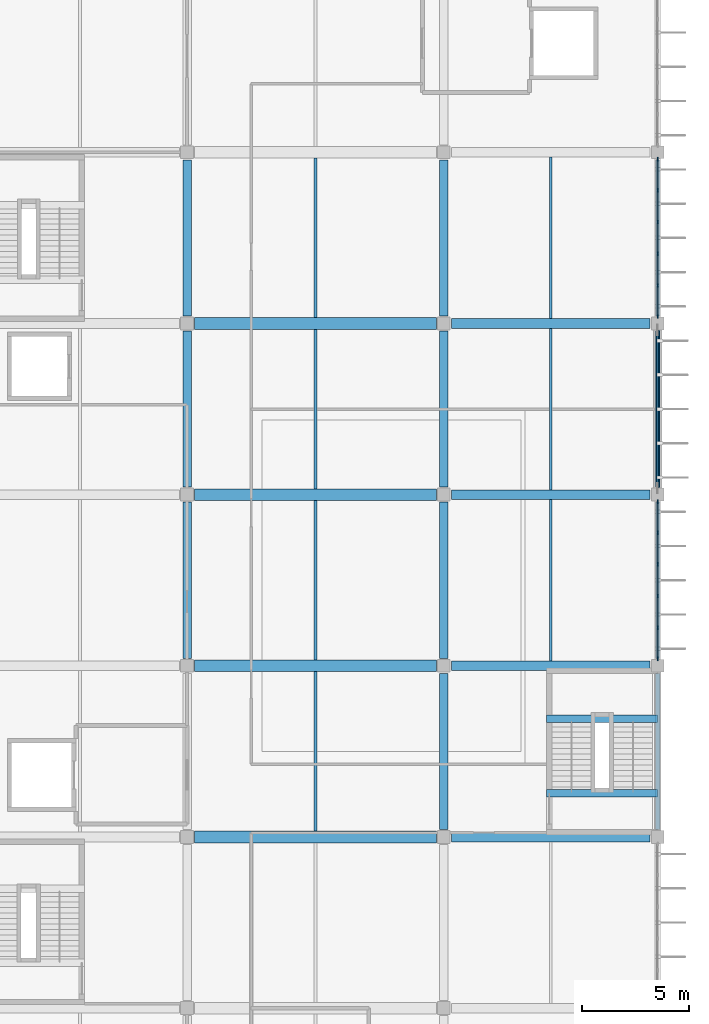
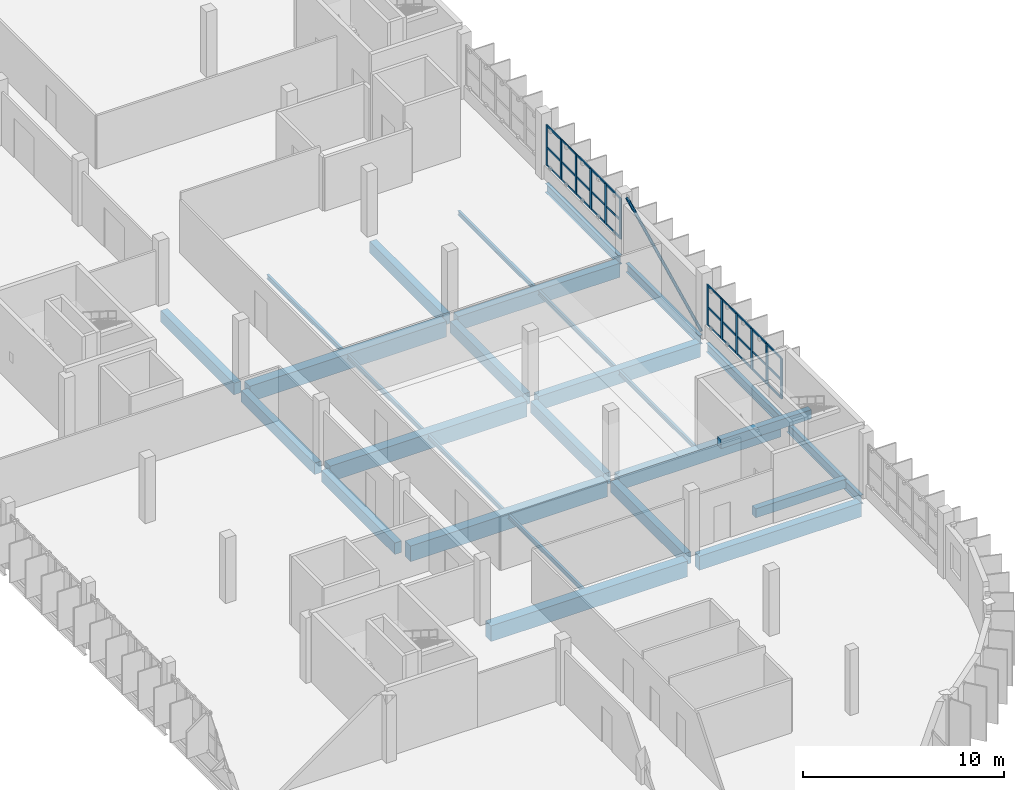
# One storey, part 31 of 66: 43 members, 28 beams, 2 elements without a shape of their own.
"""IFC4 building model written with IfcOpenShell, lengths in metres."""

from ifc_helpers import new_model, si_unit, direction, frame, origin, origin_2d, place, context, subcontext, project, spatial, rectangle, hollow_circle, i_section, extrude, material, layer, layer_set, material_profile, profile_set, type_object, element, aggregate, save


model = new_model("IFC4")

# Units and contexts
model_context = context("Model", 3, precision=1e-05, world=origin(), true_north=direction((0.0, 1.0)))
body_context = subcontext(model_context, "Body", "Model", "MODEL_VIEW")
ifc_project = project(units=[si_unit("LENGTHUNIT", "METRE"), si_unit("AREAUNIT", "SQUARE_METRE"), si_unit("VOLUMEUNIT", "CUBIC_METRE"), si_unit("PLANEANGLEUNIT", "RADIAN"), si_unit("MASSUNIT", "GRAM", prefix="KILO")], contexts=[model_context])

# Site, building, storey
site_placement = place(None, origin())
site = spatial("IfcSite", under=ifc_project, at=site_placement, CompositionType="ELEMENT")
building_placement = place(site_placement, origin())
building = spatial("IfcBuilding", under=site, at=building_placement, Name="Drelvana Railside Aquatics Centre", CompositionType="ELEMENT")
storey_placement = place(building_placement, frame((0.0, 0.0, 10.199951171875)))
storey = spatial("IfcBuildingStorey", under=building, at=storey_placement, Name="L02", CompositionType="ELEMENT", Elevation=10.199951171875)

# Curtain wall, members
ifc_material_1 = material(Name="Bronze-anodised aluminium curtain wall", Category="aluminium")
ifc_layer = layer(ifc_material_1, 0.175048828125, Name="Bronze-anodised aluminium curtain wall")
ifc_layer_set = layer_set([ifc_layer], Name="Bronze-anodised aluminium curtain wall")
curtain_wall_type = type_object("IfcCurtainWallType", Name="CW-Z6-WING", PredefinedType="NOTDEFINED", material=ifc_layer_set)
curtain_wall_1_placement = place(storey_placement, origin())
curtain_wall_1 = element("IfcCurtainWall", 1, at=curtain_wall_1_placement, inside=storey, type_object=curtain_wall_type, Name="Curtain wall CW-06-172", PredefinedType="NOTDEFINED")
ifc_material_2 = material(Name="Bronze-anodised aluminium 6063-T6", Category="aluminium")
ifc_material_profile_1 = material_profile(ifc_material_2, rectangle(XDim=0.06494140625, YDim=0.175048828125, at=origin_2d()), Name="ALU-M 65x175")
ifc_profile_set_1 = profile_set([ifc_material_profile_1], Name="Bronze-anodised aluminium 6063-T6")
member_type_1 = type_object("IfcMemberType", Name="CW-Z6-WING-MUL", PredefinedType="MULLION", material=ifc_profile_set_1)
member_1_placement = place(storey_placement, frame((184.0, 40.326416015625, 0.7939453125), z_axis=(0.0, 0.0, 1.0), x_axis=(-1.0, 0.0, 0.0)))
member_1 = element("IfcMember", 2, at=member_1_placement, type_object=member_type_1, Name="CW-06 mullion 1", PredefinedType="MULLION", context=body_context, shape_type="SweptSolid", body=[
    extrude(rectangle(XDim=0.06494140625, YDim=0.175048828125, at=origin_2d()), origin(), (0.0, 0.0, 1.0), 2.4560546875),
])
member_2_placement = place(storey_placement, frame((184.0, 41.7763671875, 0.7939453125), z_axis=(0.0, 0.0, 1.0), x_axis=(-1.0, 0.0, 0.0)))
member_2 = element("IfcMember", 3, at=member_2_placement, type_object=member_type_1, Name="CW-06 mullion 2", PredefinedType="MULLION", context=body_context, shape_type="SweptSolid", body=[
    extrude(rectangle(XDim=0.06494140625, YDim=0.175048828125, at=origin_2d()), origin(), (0.0, 0.0, 1.0), 2.4560546875),
])
member_3_placement = place(storey_placement, frame((184.0, 43.2587890625, 0.7939453125), z_axis=(0.0, 0.0, 1.0), x_axis=(-1.0, 0.0, 0.0)))
member_3 = element("IfcMember", 4, at=member_3_placement, type_object=member_type_1, Name="CW-06 mullion 3", PredefinedType="MULLION", context=body_context, shape_type="SweptSolid", body=[
    extrude(rectangle(XDim=0.06494140625, YDim=0.175048828125, at=origin_2d()), origin(), (0.0, 0.0, 1.0), 2.4560546875),
])
member_4_placement = place(storey_placement, frame((184.0, 44.7412109375, 0.7939453125), z_axis=(0.0, 0.0, 1.0), x_axis=(-1.0, 0.0, 0.0)))
member_4 = element("IfcMember", 5, at=member_4_placement, type_object=member_type_1, Name="CW-06 mullion 4", PredefinedType="MULLION", context=body_context, shape_type="SweptSolid", body=[
    extrude(rectangle(XDim=0.06494140625, YDim=0.175048828125, at=origin_2d()), origin(), (0.0, 0.0, 1.0), 2.4560546875),
])
member_5_placement = place(storey_placement, frame((184.0, 46.2236328125, 0.7939453125), z_axis=(0.0, 0.0, 1.0), x_axis=(-1.0, 0.0, 0.0)))
member_5 = element("IfcMember", 6, at=member_5_placement, type_object=member_type_1, Name="CW-06 mullion 5", PredefinedType="MULLION", context=body_context, shape_type="SweptSolid", body=[
    extrude(rectangle(XDim=0.06494140625, YDim=0.175048828125, at=origin_2d()), origin(), (0.0, 0.0, 1.0), 2.4560546875),
])
member_6_placement = place(storey_placement, frame((184.0, 47.673583984375, 0.7939453125), z_axis=(0.0, 0.0, 1.0), x_axis=(-1.0, 0.0, 0.0)))
member_6 = element("IfcMember", 7, at=member_6_placement, type_object=member_type_1, Name="CW-06 mullion 6", PredefinedType="MULLION", context=body_context, shape_type="SweptSolid", body=[
    extrude(rectangle(XDim=0.06494140625, YDim=0.175048828125, at=origin_2d()), origin(), (0.0, 0.0, 1.0), 2.4560546875),
])

curtain_wall_2_placement = place(storey_placement, origin())
curtain_wall_2 = element("IfcCurtainWall", 8, at=curtain_wall_2_placement, inside=storey, type_object=curtain_wall_type, Name="Curtain wall CW-06-177", PredefinedType="NOTDEFINED")
member_7_placement = place(storey_placement, frame((184.0, 56.326416015625, 0.7939453125), z_axis=(0.0, 0.0, 1.0), x_axis=(-1.0, 0.0, 0.0)))
member_7 = element("IfcMember", 9, at=member_7_placement, type_object=member_type_1, Name="CW-06 mullion 1", PredefinedType="MULLION", context=body_context, shape_type="SweptSolid", body=[
    extrude(rectangle(XDim=0.06494140625, YDim=0.175048828125, at=origin_2d()), origin(), (0.0, 0.0, 1.0), 2.4560546875),
])
member_8_placement = place(storey_placement, frame((184.0, 57.7763671875, 0.7939453125), z_axis=(0.0, 0.0, 1.0), x_axis=(-1.0, 0.0, 0.0)))
member_8 = element("IfcMember", 10, at=member_8_placement, type_object=member_type_1, Name="CW-06 mullion 2", PredefinedType="MULLION", context=body_context, shape_type="SweptSolid", body=[
    extrude(rectangle(XDim=0.06494140625, YDim=0.175048828125, at=origin_2d()), origin(), (0.0, 0.0, 1.0), 2.4560546875),
])
member_9_placement = place(storey_placement, frame((184.0, 59.2587890625, 0.7939453125), z_axis=(0.0, 0.0, 1.0), x_axis=(-1.0, 0.0, 0.0)))
member_9 = element("IfcMember", 11, at=member_9_placement, type_object=member_type_1, Name="CW-06 mullion 3", PredefinedType="MULLION", context=body_context, shape_type="SweptSolid", body=[
    extrude(rectangle(XDim=0.06494140625, YDim=0.175048828125, at=origin_2d()), origin(), (0.0, 0.0, 1.0), 2.4560546875),
])
member_10_placement = place(storey_placement, frame((184.0, 60.7412109375, 0.7939453125), z_axis=(0.0, 0.0, 1.0), x_axis=(-1.0, 0.0, 0.0)))
member_10 = element("IfcMember", 12, at=member_10_placement, type_object=member_type_1, Name="CW-06 mullion 4", PredefinedType="MULLION", context=body_context, shape_type="SweptSolid", body=[
    extrude(rectangle(XDim=0.06494140625, YDim=0.175048828125, at=origin_2d()), origin(), (0.0, 0.0, 1.0), 2.4560546875),
])
member_11_placement = place(storey_placement, frame((184.0, 62.2236328125, 0.7939453125), z_axis=(0.0, 0.0, 1.0), x_axis=(-1.0, 0.0, 0.0)))
member_11 = element("IfcMember", 13, at=member_11_placement, type_object=member_type_1, Name="CW-06 mullion 5", PredefinedType="MULLION", context=body_context, shape_type="SweptSolid", body=[
    extrude(rectangle(XDim=0.06494140625, YDim=0.175048828125, at=origin_2d()), origin(), (0.0, 0.0, 1.0), 2.4560546875),
])
member_12_placement = place(storey_placement, frame((184.0, 63.673583984375, 0.7939453125), z_axis=(0.0, 0.0, 1.0), x_axis=(-1.0, 0.0, 0.0)))
member_12 = element("IfcMember", 14, at=member_12_placement, type_object=member_type_1, Name="CW-06 mullion 6", PredefinedType="MULLION", context=body_context, shape_type="SweptSolid", body=[
    extrude(rectangle(XDim=0.06494140625, YDim=0.175048828125, at=origin_2d()), origin(), (0.0, 0.0, 1.0), 2.4560546875),
])

# Member
ifc_material_profile_2 = material_profile(ifc_material_2, rectangle(XDim=0.1201171875, YDim=0.06005859375, at=origin_2d()), Name="ALU-T 60x120")
ifc_profile_set_2 = profile_set([ifc_material_profile_2], Name="Bronze-anodised aluminium 6063-T6")
member_type_2 = type_object("IfcMemberType", Name="CW-Z6-WING-TRN", PredefinedType="USERDEFINED", material=ifc_profile_set_2)
member_13_placement = place(storey_placement, frame((184.0, 40.35400390625, 0.823974609375), z_axis=(0.0, 1.0, 0.0), x_axis=(0.0, 0.0, 1.0)))
member_13 = element("IfcMember", 15, at=member_13_placement, type_object=member_type_2, Name="CW-06 transom 1.1", ObjectType="TRANSOM", PredefinedType="USERDEFINED", context=body_context, shape_type="SweptSolid", body=[
    extrude(rectangle(XDim=0.1201171875, YDim=0.06005859375, at=origin_2d()), origin(), (0.0, 0.0, 1.0), 1.394775390625),
])

member_14_placement = place(storey_placement, frame((184.0, 40.35400390625, 1.899169921875), z_axis=(0.0, 1.0, 0.0), x_axis=(0.0, 0.0, 1.0)))
member_14 = element("IfcMember", 16, at=member_14_placement, type_object=member_type_2, Name="CW-06 transom 1.2", ObjectType="TRANSOM", PredefinedType="USERDEFINED", context=body_context, shape_type="SweptSolid", body=[
    extrude(rectangle(XDim=0.1201171875, YDim=0.06005859375, at=origin_2d()), origin(), (0.0, 0.0, 1.0), 1.394775390625),
])

member_15_placement = place(storey_placement, frame((184.0, 40.35400390625, 3.219970703125), z_axis=(0.0, 1.0, 0.0), x_axis=(0.0, 0.0, 1.0)))
member_15 = element("IfcMember", 17, at=member_15_placement, type_object=member_type_2, Name="CW-06 transom 1.3", ObjectType="TRANSOM", PredefinedType="USERDEFINED", context=body_context, shape_type="SweptSolid", body=[
    extrude(rectangle(XDim=0.1201171875, YDim=0.06005859375, at=origin_2d()), origin(), (0.0, 0.0, 1.0), 1.394775390625),
])

member_16_placement = place(storey_placement, frame((184.0, 41.803955078125, 0.823974609375), z_axis=(0.0, 1.0, 0.0), x_axis=(0.0, 0.0, 1.0)))
member_16 = element("IfcMember", 18, at=member_16_placement, type_object=member_type_2, Name="CW-06 transom 2.1", ObjectType="TRANSOM", PredefinedType="USERDEFINED", context=body_context, shape_type="SweptSolid", body=[
    extrude(rectangle(XDim=0.1201171875, YDim=0.06005859375, at=origin_2d()), origin(), (0.0, 0.0, 1.0), 1.42724609375),
])

member_17_placement = place(storey_placement, frame((184.0, 41.803955078125, 1.899169921875), z_axis=(0.0, 1.0, 0.0), x_axis=(0.0, 0.0, 1.0)))
member_17 = element("IfcMember", 19, at=member_17_placement, type_object=member_type_2, Name="CW-06 transom 2.2", ObjectType="TRANSOM", PredefinedType="USERDEFINED", context=body_context, shape_type="SweptSolid", body=[
    extrude(rectangle(XDim=0.1201171875, YDim=0.06005859375, at=origin_2d()), origin(), (0.0, 0.0, 1.0), 1.42724609375),
])

member_18_placement = place(storey_placement, frame((184.0, 41.803955078125, 3.219970703125), z_axis=(0.0, 1.0, 0.0), x_axis=(0.0, 0.0, 1.0)))
member_18 = element("IfcMember", 20, at=member_18_placement, type_object=member_type_2, Name="CW-06 transom 2.3", ObjectType="TRANSOM", PredefinedType="USERDEFINED", context=body_context, shape_type="SweptSolid", body=[
    extrude(rectangle(XDim=0.1201171875, YDim=0.06005859375, at=origin_2d()), origin(), (0.0, 0.0, 1.0), 1.42724609375),
])

member_19_placement = place(storey_placement, frame((184.0, 43.286376953125, 0.823974609375), z_axis=(0.0, 1.0, 0.0), x_axis=(0.0, 0.0, 1.0)))
member_19 = element("IfcMember", 21, at=member_19_placement, type_object=member_type_2, Name="CW-06 transom 3.1", ObjectType="TRANSOM", PredefinedType="USERDEFINED", context=body_context, shape_type="SweptSolid", body=[
    extrude(rectangle(XDim=0.1201171875, YDim=0.06005859375, at=origin_2d()), origin(), (0.0, 0.0, 1.0), 1.42724609375),
])

member_20_placement = place(storey_placement, frame((184.0, 43.286376953125, 1.899169921875), z_axis=(0.0, 1.0, 0.0), x_axis=(0.0, 0.0, 1.0)))
member_20 = element("IfcMember", 22, at=member_20_placement, type_object=member_type_2, Name="CW-06 transom 3.2", ObjectType="TRANSOM", PredefinedType="USERDEFINED", context=body_context, shape_type="SweptSolid", body=[
    extrude(rectangle(XDim=0.1201171875, YDim=0.06005859375, at=origin_2d()), origin(), (0.0, 0.0, 1.0), 1.42724609375),
])

member_21_placement = place(storey_placement, frame((184.0, 43.286376953125, 3.219970703125), z_axis=(0.0, 1.0, 0.0), x_axis=(0.0, 0.0, 1.0)))
member_21 = element("IfcMember", 23, at=member_21_placement, type_object=member_type_2, Name="CW-06 transom 3.3", ObjectType="TRANSOM", PredefinedType="USERDEFINED", context=body_context, shape_type="SweptSolid", body=[
    extrude(rectangle(XDim=0.1201171875, YDim=0.06005859375, at=origin_2d()), origin(), (0.0, 0.0, 1.0), 1.42724609375),
])

member_22_placement = place(storey_placement, frame((184.0, 44.768798828125, 0.823974609375), z_axis=(0.0, 1.0, 0.0), x_axis=(0.0, 0.0, 1.0)))
member_22 = element("IfcMember", 24, at=member_22_placement, type_object=member_type_2, Name="CW-06 transom 4.1", ObjectType="TRANSOM", PredefinedType="USERDEFINED", context=body_context, shape_type="SweptSolid", body=[
    extrude(rectangle(XDim=0.1201171875, YDim=0.06005859375, at=origin_2d()), origin(), (0.0, 0.0, 1.0), 1.42724609375),
])

member_23_placement = place(storey_placement, frame((184.0, 44.768798828125, 1.899169921875), z_axis=(0.0, 1.0, 0.0), x_axis=(0.0, 0.0, 1.0)))
member_23 = element("IfcMember", 25, at=member_23_placement, type_object=member_type_2, Name="CW-06 transom 4.2", ObjectType="TRANSOM", PredefinedType="USERDEFINED", context=body_context, shape_type="SweptSolid", body=[
    extrude(rectangle(XDim=0.1201171875, YDim=0.06005859375, at=origin_2d()), origin(), (0.0, 0.0, 1.0), 1.42724609375),
])

member_24_placement = place(storey_placement, frame((184.0, 44.768798828125, 3.219970703125), z_axis=(0.0, 1.0, 0.0), x_axis=(0.0, 0.0, 1.0)))
member_24 = element("IfcMember", 26, at=member_24_placement, type_object=member_type_2, Name="CW-06 transom 4.3", ObjectType="TRANSOM", PredefinedType="USERDEFINED", context=body_context, shape_type="SweptSolid", body=[
    extrude(rectangle(XDim=0.1201171875, YDim=0.06005859375, at=origin_2d()), origin(), (0.0, 0.0, 1.0), 1.42724609375),
])

member_25_placement = place(storey_placement, frame((184.0, 46.251220703125, 0.823974609375), z_axis=(0.0, 1.0, 0.0), x_axis=(0.0, 0.0, 1.0)))
member_25 = element("IfcMember", 27, at=member_25_placement, type_object=member_type_2, Name="CW-06 transom 5.1", ObjectType="TRANSOM", PredefinedType="USERDEFINED", context=body_context, shape_type="SweptSolid", body=[
    extrude(rectangle(XDim=0.1201171875, YDim=0.06005859375, at=origin_2d()), origin(), (0.0, 0.0, 1.0), 1.394775390625),
])

member_26_placement = place(storey_placement, frame((184.0, 46.251220703125, 1.899169921875), z_axis=(0.0, 1.0, 0.0), x_axis=(0.0, 0.0, 1.0)))
member_26 = element("IfcMember", 28, at=member_26_placement, type_object=member_type_2, Name="CW-06 transom 5.2", ObjectType="TRANSOM", PredefinedType="USERDEFINED", context=body_context, shape_type="SweptSolid", body=[
    extrude(rectangle(XDim=0.1201171875, YDim=0.06005859375, at=origin_2d()), origin(), (0.0, 0.0, 1.0), 1.394775390625),
])

member_27_placement = place(storey_placement, frame((184.0, 46.251220703125, 3.219970703125), z_axis=(0.0, 1.0, 0.0), x_axis=(0.0, 0.0, 1.0)))
member_27 = element("IfcMember", 29, at=member_27_placement, type_object=member_type_2, Name="CW-06 transom 5.3", ObjectType="TRANSOM", PredefinedType="USERDEFINED", context=body_context, shape_type="SweptSolid", body=[
    extrude(rectangle(XDim=0.1201171875, YDim=0.06005859375, at=origin_2d()), origin(), (0.0, 0.0, 1.0), 1.394775390625),
])

aggregate(curtain_wall_1, [member_1, member_2, member_3, member_4, member_5, member_6, member_13, member_14, member_15, member_16, member_17, member_18, member_19, member_20, member_21, member_22, member_23, member_24, member_25, member_26, member_27])

member_28_placement = place(storey_placement, frame((184.0, 56.35400390625, 0.823974609375), z_axis=(0.0, 1.0, 0.0), x_axis=(0.0, 0.0, 1.0)))
member_28 = element("IfcMember", 30, at=member_28_placement, type_object=member_type_2, Name="CW-06 transom 1.1", ObjectType="TRANSOM", PredefinedType="USERDEFINED", context=body_context, shape_type="SweptSolid", body=[
    extrude(rectangle(XDim=0.1201171875, YDim=0.06005859375, at=origin_2d()), origin(), (0.0, 0.0, 1.0), 1.394775390625),
])

member_29_placement = place(storey_placement, frame((184.0, 56.35400390625, 1.899169921875), z_axis=(0.0, 1.0, 0.0), x_axis=(0.0, 0.0, 1.0)))
member_29 = element("IfcMember", 31, at=member_29_placement, type_object=member_type_2, Name="CW-06 transom 1.2", ObjectType="TRANSOM", PredefinedType="USERDEFINED", context=body_context, shape_type="SweptSolid", body=[
    extrude(rectangle(XDim=0.1201171875, YDim=0.06005859375, at=origin_2d()), origin(), (0.0, 0.0, 1.0), 1.394775390625),
])

member_30_placement = place(storey_placement, frame((184.0, 56.35400390625, 3.219970703125), z_axis=(0.0, 1.0, 0.0), x_axis=(0.0, 0.0, 1.0)))
member_30 = element("IfcMember", 32, at=member_30_placement, type_object=member_type_2, Name="CW-06 transom 1.3", ObjectType="TRANSOM", PredefinedType="USERDEFINED", context=body_context, shape_type="SweptSolid", body=[
    extrude(rectangle(XDim=0.1201171875, YDim=0.06005859375, at=origin_2d()), origin(), (0.0, 0.0, 1.0), 1.394775390625),
])

member_31_placement = place(storey_placement, frame((184.0, 57.803955078125, 0.823974609375), z_axis=(0.0, 1.0, 0.0), x_axis=(0.0, 0.0, 1.0)))
member_31 = element("IfcMember", 33, at=member_31_placement, type_object=member_type_2, Name="CW-06 transom 2.1", ObjectType="TRANSOM", PredefinedType="USERDEFINED", context=body_context, shape_type="SweptSolid", body=[
    extrude(rectangle(XDim=0.1201171875, YDim=0.06005859375, at=origin_2d()), origin(), (0.0, 0.0, 1.0), 1.42724609375),
])

member_32_placement = place(storey_placement, frame((184.0, 57.803955078125, 1.899169921875), z_axis=(0.0, 1.0, 0.0), x_axis=(0.0, 0.0, 1.0)))
member_32 = element("IfcMember", 34, at=member_32_placement, type_object=member_type_2, Name="CW-06 transom 2.2", ObjectType="TRANSOM", PredefinedType="USERDEFINED", context=body_context, shape_type="SweptSolid", body=[
    extrude(rectangle(XDim=0.1201171875, YDim=0.06005859375, at=origin_2d()), origin(), (0.0, 0.0, 1.0), 1.42724609375),
])

member_33_placement = place(storey_placement, frame((184.0, 57.803955078125, 3.219970703125), z_axis=(0.0, 1.0, 0.0), x_axis=(0.0, 0.0, 1.0)))
member_33 = element("IfcMember", 35, at=member_33_placement, type_object=member_type_2, Name="CW-06 transom 2.3", ObjectType="TRANSOM", PredefinedType="USERDEFINED", context=body_context, shape_type="SweptSolid", body=[
    extrude(rectangle(XDim=0.1201171875, YDim=0.06005859375, at=origin_2d()), origin(), (0.0, 0.0, 1.0), 1.42724609375),
])

member_34_placement = place(storey_placement, frame((184.0, 59.286376953125, 0.823974609375), z_axis=(0.0, 1.0, 0.0), x_axis=(0.0, 0.0, 1.0)))
member_34 = element("IfcMember", 36, at=member_34_placement, type_object=member_type_2, Name="CW-06 transom 3.1", ObjectType="TRANSOM", PredefinedType="USERDEFINED", context=body_context, shape_type="SweptSolid", body=[
    extrude(rectangle(XDim=0.1201171875, YDim=0.06005859375, at=origin_2d()), origin(), (0.0, 0.0, 1.0), 1.42724609375),
])

member_35_placement = place(storey_placement, frame((184.0, 59.286376953125, 1.899169921875), z_axis=(0.0, 1.0, 0.0), x_axis=(0.0, 0.0, 1.0)))
member_35 = element("IfcMember", 37, at=member_35_placement, type_object=member_type_2, Name="CW-06 transom 3.2", ObjectType="TRANSOM", PredefinedType="USERDEFINED", context=body_context, shape_type="SweptSolid", body=[
    extrude(rectangle(XDim=0.1201171875, YDim=0.06005859375, at=origin_2d()), origin(), (0.0, 0.0, 1.0), 1.42724609375),
])

member_36_placement = place(storey_placement, frame((184.0, 59.286376953125, 3.219970703125), z_axis=(0.0, 1.0, 0.0), x_axis=(0.0, 0.0, 1.0)))
member_36 = element("IfcMember", 38, at=member_36_placement, type_object=member_type_2, Name="CW-06 transom 3.3", ObjectType="TRANSOM", PredefinedType="USERDEFINED", context=body_context, shape_type="SweptSolid", body=[
    extrude(rectangle(XDim=0.1201171875, YDim=0.06005859375, at=origin_2d()), origin(), (0.0, 0.0, 1.0), 1.42724609375),
])

member_37_placement = place(storey_placement, frame((184.0, 60.768798828125, 0.823974609375), z_axis=(0.0, 1.0, 0.0), x_axis=(0.0, 0.0, 1.0)))
member_37 = element("IfcMember", 39, at=member_37_placement, type_object=member_type_2, Name="CW-06 transom 4.1", ObjectType="TRANSOM", PredefinedType="USERDEFINED", context=body_context, shape_type="SweptSolid", body=[
    extrude(rectangle(XDim=0.1201171875, YDim=0.06005859375, at=origin_2d()), origin(), (0.0, 0.0, 1.0), 1.42724609375),
])

member_38_placement = place(storey_placement, frame((184.0, 60.768798828125, 1.899169921875), z_axis=(0.0, 1.0, 0.0), x_axis=(0.0, 0.0, 1.0)))
member_38 = element("IfcMember", 40, at=member_38_placement, type_object=member_type_2, Name="CW-06 transom 4.2", ObjectType="TRANSOM", PredefinedType="USERDEFINED", context=body_context, shape_type="SweptSolid", body=[
    extrude(rectangle(XDim=0.1201171875, YDim=0.06005859375, at=origin_2d()), origin(), (0.0, 0.0, 1.0), 1.42724609375),
])

member_39_placement = place(storey_placement, frame((184.0, 60.768798828125, 3.219970703125), z_axis=(0.0, 1.0, 0.0), x_axis=(0.0, 0.0, 1.0)))
member_39 = element("IfcMember", 41, at=member_39_placement, type_object=member_type_2, Name="CW-06 transom 4.3", ObjectType="TRANSOM", PredefinedType="USERDEFINED", context=body_context, shape_type="SweptSolid", body=[
    extrude(rectangle(XDim=0.1201171875, YDim=0.06005859375, at=origin_2d()), origin(), (0.0, 0.0, 1.0), 1.42724609375),
])

member_40_placement = place(storey_placement, frame((184.0, 62.251220703125, 0.823974609375), z_axis=(0.0, 1.0, 0.0), x_axis=(0.0, 0.0, 1.0)))
member_40 = element("IfcMember", 42, at=member_40_placement, type_object=member_type_2, Name="CW-06 transom 5.1", ObjectType="TRANSOM", PredefinedType="USERDEFINED", context=body_context, shape_type="SweptSolid", body=[
    extrude(rectangle(XDim=0.1201171875, YDim=0.06005859375, at=origin_2d()), origin(), (0.0, 0.0, 1.0), 1.394775390625),
])

member_41_placement = place(storey_placement, frame((184.0, 62.251220703125, 1.899169921875), z_axis=(0.0, 1.0, 0.0), x_axis=(0.0, 0.0, 1.0)))
member_41 = element("IfcMember", 43, at=member_41_placement, type_object=member_type_2, Name="CW-06 transom 5.2", ObjectType="TRANSOM", PredefinedType="USERDEFINED", context=body_context, shape_type="SweptSolid", body=[
    extrude(rectangle(XDim=0.1201171875, YDim=0.06005859375, at=origin_2d()), origin(), (0.0, 0.0, 1.0), 1.394775390625),
])

member_42_placement = place(storey_placement, frame((184.0, 62.251220703125, 3.219970703125), z_axis=(0.0, 1.0, 0.0), x_axis=(0.0, 0.0, 1.0)))
member_42 = element("IfcMember", 44, at=member_42_placement, type_object=member_type_2, Name="CW-06 transom 5.3", ObjectType="TRANSOM", PredefinedType="USERDEFINED", context=body_context, shape_type="SweptSolid", body=[
    extrude(rectangle(XDim=0.1201171875, YDim=0.06005859375, at=origin_2d()), origin(), (0.0, 0.0, 1.0), 1.394775390625),
])

aggregate(curtain_wall_2, [member_7, member_8, member_9, member_10, member_11, member_12, member_28, member_29, member_30, member_31, member_32, member_33, member_34, member_35, member_36, member_37, member_38, member_39, member_40, member_41, member_42])

# Beams
ifc_material_3 = material(Name="Concrete C40/50", Category="concrete")
ifc_material_profile_3 = material_profile(ifc_material_3, rectangle(XDim=0.35009765625, YDim=0.550048828125, at=origin_2d()), Name="RC 350x550")
ifc_profile_set_3 = profile_set([ifc_material_profile_3], Name="Concrete C40/50")
beam_type_1 = type_object("IfcBeamType", Name="STR-BM-BM-01-RC-350x550", PredefinedType="BEAM", material=ifc_profile_set_3)
for number, where, z_axis, x_axis, name in (
    (45, (178.800048828125, 34.050048828125, -0.474853515625), (1.0, 0.0, 0.0), (0.0, 1.0, 0.0), "Stair ST-09 L02 landing beam"),
    (46, (178.800048828125, 37.52490234375, 1.625), (1.0, 0.0, 0.0), (0.0, 1.0, 0.0), "Stair ST-09 L02 mid-landing beam"),
):
    element("IfcBeam", number, at=place(storey_placement, frame(where, z_axis=z_axis, x_axis=x_axis)), inside=storey, type_object=beam_type_1, Name=name, PredefinedType="BEAM", context=body_context, shape_type="SweptSolid", body=[
        extrude(rectangle(XDim=0.35009765625, YDim=0.550048828125, at=origin_2d()), origin(), (0.0, 0.0, 1.0), 5.199951171875),
    ])
ifc_material_profile_4 = material_profile(ifc_material_3, rectangle(XDim=0.39990234375, YDim=0.699951171875, at=origin_2d()), Name="RC 400x700")
ifc_profile_set_4 = profile_set([ifc_material_profile_4], Name="Concrete C40/50")
beam_type_2 = type_object("IfcBeamType", Name="STR-BM-BM-03-RC-400x700", PredefinedType="BEAM", material=ifc_profile_set_4)
for number, where, z_axis, x_axis, name in (
    (47, (162.0, 40.35009765625, -0.599853515625), (0.0, 1.0, 0.0), (-1.0, 0.0, 0.0), "Girder BM-03 (L02)"),
    (48, (162.0, 48.35009765625, -0.599853515625), (0.0, 1.0, 0.0), (-1.0, 0.0, 0.0), "Girder BM-03 (L02)"),
    (49, (162.0, 56.35009765625, -0.599853515625), (0.0, 1.0, 0.0), (-1.0, 0.0, 0.0), "Girder BM-03 (L02)"),
    (50, (174.0, 32.35009765625, -0.599853515625), (0.0, 1.0, 0.0), (-1.0, 0.0, 0.0), "Girder BM-03 (L02)"),
    (51, (174.0, 40.35009765625, -0.599853515625), (0.0, 1.0, 0.0), (-1.0, 0.0, 0.0), "Girder BM-03 (L02)"),
    (52, (174.0, 48.35009765625, -0.599853515625), (0.0, 1.0, 0.0), (-1.0, 0.0, 0.0), "Girder BM-03 (L02)"),
    (53, (174.0, 56.35009765625, -0.599853515625), (0.0, 1.0, 0.0), (-1.0, 0.0, 0.0), "Girder BM-03 (L02)"),
):
    element("IfcBeam", number, at=place(storey_placement, frame(where, z_axis=z_axis, x_axis=x_axis)), inside=storey, type_object=beam_type_2, Name=name, PredefinedType="BEAM", context=body_context, shape_type="SweptSolid", body=[
        extrude(rectangle(XDim=0.39990234375, YDim=0.699951171875, at=origin_2d()), origin(), (0.0, 0.0, 1.0), 7.2998046875),
    ])
ifc_material_profile_5 = material_profile(ifc_material_3, rectangle(XDim=0.449951171875, YDim=0.85009765625, at=origin_2d()), Name="RC 450x850")
ifc_profile_set_5 = profile_set([ifc_material_profile_5], Name="Concrete C40/50")
beam_type_3 = type_object("IfcBeamType", Name="STR-BM-BM-05-RC-450x850", PredefinedType="BEAM", material=ifc_profile_set_5)
for number, where, z_axis, x_axis, name in (
    (54, (174.35009765625, 32.0, -0.675048828125), (1.0, 0.0, 0.0), (0.0, 1.0, 0.0), "Girder BM-05 (L02)"),
    (55, (174.35009765625, 40.0, -0.675048828125), (1.0, 0.0, 0.0), (0.0, 1.0, 0.0), "Girder BM-05 (L02)"),
    (56, (174.35009765625, 48.0, -0.675048828125), (1.0, 0.0, 0.0), (0.0, 1.0, 0.0), "Girder BM-05 (L02)"),
    (57, (174.35009765625, 56.0, -0.675048828125), (1.0, 0.0, 0.0), (0.0, 1.0, 0.0), "Girder BM-05 (L02)"),
):
    element("IfcBeam", number, at=place(storey_placement, frame(where, z_axis=z_axis, x_axis=x_axis)), inside=storey, type_object=beam_type_3, Name=name, PredefinedType="BEAM", context=body_context, shape_type="SweptSolid", body=[
        extrude(rectangle(XDim=0.449951171875, YDim=0.85009765625, at=origin_2d()), origin(), (0.0, 0.0, 1.0), 9.2998046875),
    ])
ifc_material_profile_6 = material_profile(ifc_material_3, rectangle(XDim=0.550048828125, YDim=0.949951171875, at=origin_2d()), Name="RC 550x950")
ifc_profile_set_6 = profile_set([ifc_material_profile_6], Name="Concrete C40/50")
beam_type_4 = type_object("IfcBeamType", Name="STR-BM-BM-08-RC-550x950", PredefinedType="BEAM", material=ifc_profile_set_6)
for number, where, z_axis, x_axis, name in (
    (58, (162.35009765625, 32.0, -0.724853515625), (1.0, 0.0, 0.0), (0.0, 1.0, 0.0), "Girder BM-08 (L02)"),
    (59, (162.35009765625, 40.0, -0.724853515625), (1.0, 0.0, 0.0), (0.0, 1.0, 0.0), "Girder BM-08 (L02)"),
    (60, (162.35009765625, 48.0, -0.724853515625), (1.0, 0.0, 0.0), (0.0, 1.0, 0.0), "Girder BM-08 (L02)"),
    (61, (162.35009765625, 56.0, -0.724853515625), (1.0, 0.0, 0.0), (0.0, 1.0, 0.0), "Girder BM-08 (L02)"),
):
    element("IfcBeam", number, at=place(storey_placement, frame(where, z_axis=z_axis, x_axis=x_axis)), inside=storey, type_object=beam_type_4, Name=name, PredefinedType="BEAM", context=body_context, shape_type="SweptSolid", body=[
        extrude(rectangle(XDim=0.550048828125, YDim=0.949951171875, at=origin_2d()), origin(), (0.0, 0.0, 1.0), 11.2998046875),
    ])

# Member
ifc_material_4 = material(Name="Structural steel S355", Category="steel")
ifc_material_profile_7 = material_profile(ifc_material_4, hollow_circle(Radius=0.084228515625, WallThickness=0.008056640625, at=origin_2d()), Name="CHS 168.3x8")
ifc_profile_set_7 = profile_set([ifc_material_profile_7], Name="Structural steel S355")
member_type_3 = type_object("IfcMemberType", Name="STR-MBR-BR-01", PredefinedType="BRACE", material=ifc_profile_set_7)
member_43_placement = place(storey_placement, frame((184.0, 48.300048828125, 0.050048828125), z_axis=(0.0, 0.899228149228, 0.437479983125), x_axis=(-1.0, 0.0, 0.0)))
element("IfcMember", 62, at=member_43_placement, inside=storey, type_object=member_type_3, Name="Lateral frame brace BR-09 (L02)", PredefinedType="BRACE", context=body_context, shape_type="SweptSolid", body=[
    extrude(hollow_circle(Radius=0.084228515625, WallThickness=0.008056640625, at=origin_2d()), origin(), (0.0, 0.0, 1.0), 8.229248046875),
])

# Beams
ifc_material_profile_8 = material_profile(ifc_material_4, i_section(OverallWidth=0.2099609375, OverallDepth=0.550048828125, WebThickness=0.010986328125, FlangeThickness=0.01708984375, at=origin_2d()), Name="IPE 550")
ifc_profile_set_8 = profile_set([ifc_material_profile_8], Name="Structural steel S355")
beam_type_5 = type_object("IfcBeamType", Name="STR-SBM-SB-04-IPE-550", PredefinedType="SPANDREL", material=ifc_profile_set_8)
for number, where, z_axis, x_axis, name in (
    (63, (184.0, 32.35009765625, -0.52490234375), (0.0, 1.0, 0.0), (-1.0, 0.0, 0.0), "Girder SB-04 (L02)"),
    (64, (184.0, 40.35009765625, -0.52490234375), (0.0, 1.0, 0.0), (-1.0, 0.0, 0.0), "Girder SB-04 (L02)"),
    (65, (184.0, 48.35009765625, -0.52490234375), (0.0, 1.0, 0.0), (-1.0, 0.0, 0.0), "Girder SB-04 (L02)"),
    (66, (184.0, 56.35009765625, -0.52490234375), (0.0, 1.0, 0.0), (-1.0, 0.0, 0.0), "Girder SB-04 (L02)"),
):
    element("IfcBeam", number, at=place(storey_placement, frame(where, z_axis=z_axis, x_axis=x_axis)), inside=storey, type_object=beam_type_5, Name=name, PredefinedType="SPANDREL", context=body_context, shape_type="SweptSolid", body=[
        extrude(i_section(OverallWidth=0.2099609375, OverallDepth=0.550048828125, WebThickness=0.010986328125, FlangeThickness=0.01708984375, at=origin_2d()), origin(), (0.0, 0.0, 1.0), 7.2998046875),
    ])
ifc_material_profile_9 = material_profile(ifc_material_4, i_section(OverallWidth=0.135009765625, OverallDepth=0.27001953125, WebThickness=0.006591796875, FlangeThickness=0.01025390625, at=origin_2d()), Name="IPE 270")
ifc_profile_set_9 = profile_set([ifc_material_profile_9], Name="Structural steel S355")
beam_type_6 = type_object("IfcBeamType", Name="STR-SBM-SJ-02-IPE-270", PredefinedType="JOIST", material=ifc_profile_set_9)
for number, where, z_axis, x_axis, name in (
    (67, (168.0, 32.27490234375, -0.385009765625), (0.0, 1.0, 0.0), (-1.0, 0.0, 0.0), "Secondary floor joist SJ-02 (L02)"),
    (68, (168.0, 40.27490234375, -0.385009765625), (0.0, 1.0, 0.0), (-1.0, 0.0, 0.0), "Secondary floor joist SJ-02 (L02)"),
    (69, (168.0, 48.27490234375, -0.385009765625), (0.0, 1.0, 0.0), (-1.0, 0.0, 0.0), "Secondary floor joist SJ-02 (L02)"),
    (70, (168.0, 56.27490234375, -0.385009765625), (0.0, 1.0, 0.0), (-1.0, 0.0, 0.0), "Secondary floor joist SJ-02 (L02)"),
):
    element("IfcBeam", number, at=place(storey_placement, frame(where, z_axis=z_axis, x_axis=x_axis)), inside=storey, type_object=beam_type_6, Name=name, PredefinedType="JOIST", context=body_context, shape_type="SweptSolid", body=[
        extrude(i_section(OverallWidth=0.135009765625, OverallDepth=0.27001953125, WebThickness=0.006591796875, FlangeThickness=0.01025390625, at=origin_2d()), origin(), (0.0, 0.0, 1.0), 7.4501953125),
    ])
for number, where, z_axis, x_axis, name in (
    (71, (179.0, 40.22509765625, -0.385009765625), (0.0, 1.0, 0.0), (-1.0, 0.0, 0.0), "Secondary floor joist SJ-02 (L02)"),
    (72, (179.0, 48.22509765625, -0.385009765625), (0.0, 1.0, 0.0), (-1.0, 0.0, 0.0), "Secondary floor joist SJ-02 (L02)"),
    (73, (179.0, 56.22509765625, -0.385009765625), (0.0, 1.0, 0.0), (-1.0, 0.0, 0.0), "Secondary floor joist SJ-02 (L02)"),
):
    element("IfcBeam", number, at=place(storey_placement, frame(where, z_axis=z_axis, x_axis=x_axis)), inside=storey, type_object=beam_type_6, Name=name, PredefinedType="JOIST", context=body_context, shape_type="SweptSolid", body=[
        extrude(i_section(OverallWidth=0.135009765625, OverallDepth=0.27001953125, WebThickness=0.006591796875, FlangeThickness=0.01025390625, at=origin_2d()), origin(), (0.0, 0.0, 1.0), 7.5498046875),
    ])

save(model, "model.ifc")
